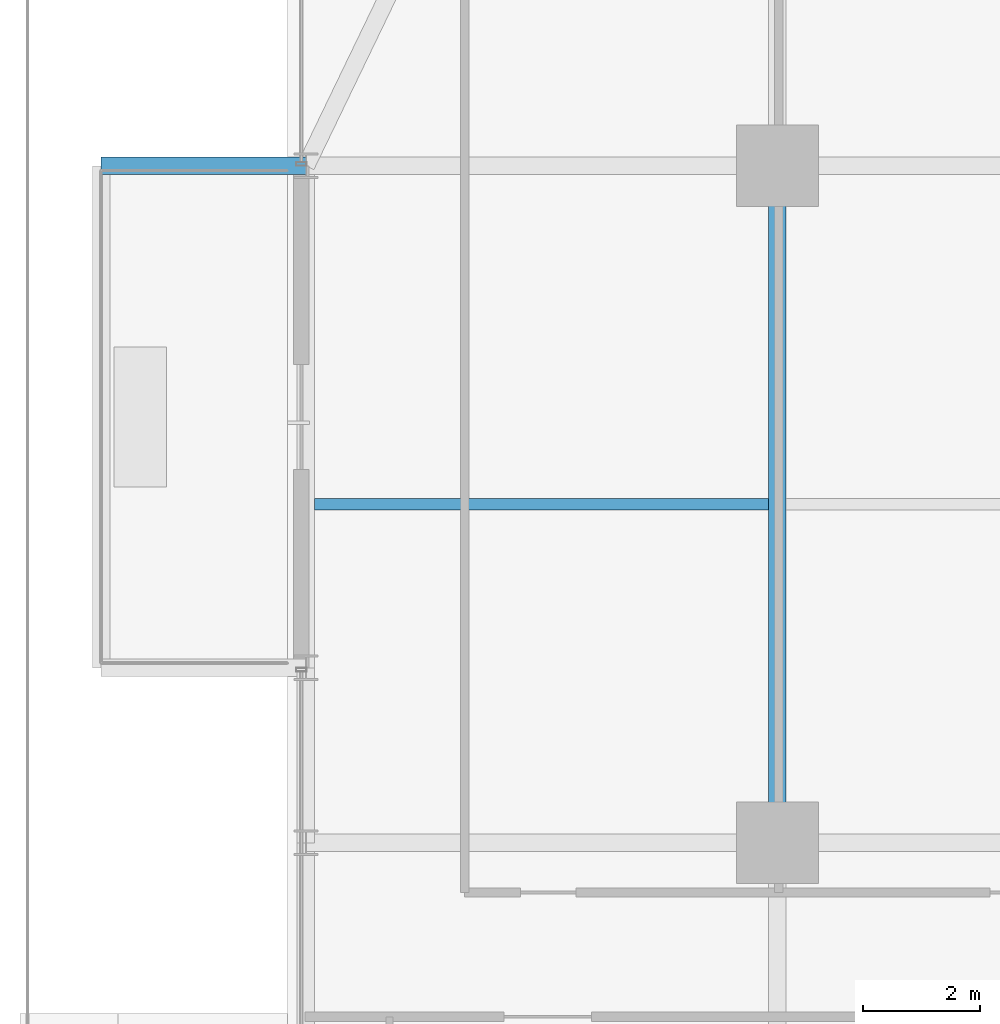
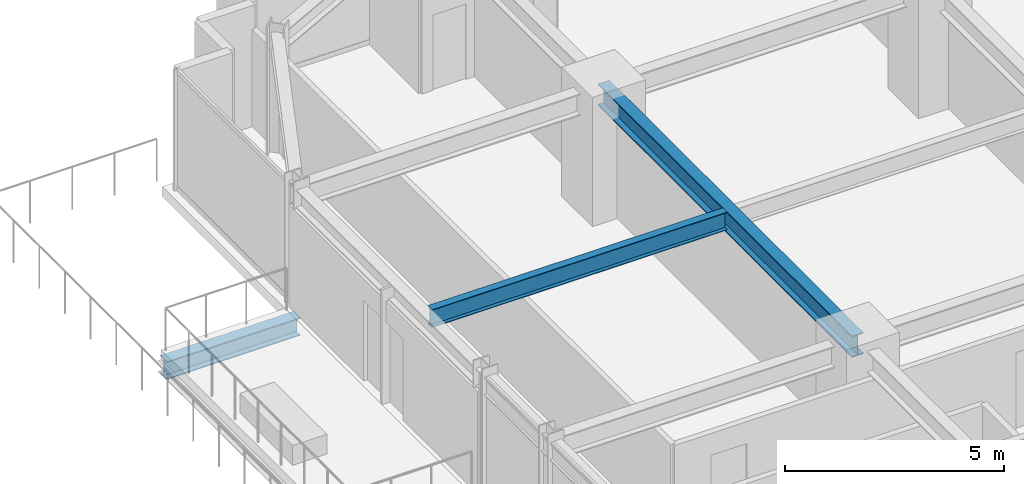
# One storey, part 19 of 39: 3 beams.
"""IFC4 building model written with IfcOpenShell, lengths in metres."""

from ifc_helpers import new_model, si_unit, direction, frame, origin, origin_2d, place, context, subcontext, project, spatial, i_section, extrude, source, transform, mapped, material, material_profile, profile_set, type_object, element, save


model = new_model("IFC4")

# Units and contexts
model_context = context("Model", 3, precision=1e-05, world=origin(), true_north=direction((0.0, 1.0)))
body_context = subcontext(model_context, "Body", "Model", "MODEL_VIEW")
ifc_project = project(units=[si_unit("LENGTHUNIT", "METRE"), si_unit("AREAUNIT", "SQUARE_METRE"), si_unit("VOLUMEUNIT", "CUBIC_METRE"), si_unit("PLANEANGLEUNIT", "RADIAN"), si_unit("MASSUNIT", "GRAM", prefix="KILO")], contexts=[model_context])

# Site, building, storey
site_placement = place(None, origin())
site = spatial("IfcSite", under=ifc_project, at=site_placement, CompositionType="ELEMENT")
building_placement = place(site_placement, origin())
building = spatial("IfcBuilding", under=site, at=building_placement, Name="Nahalor Promenade Grand Hotel", CompositionType="ELEMENT")
storey_placement = place(building_placement, frame((0.0, 0.0, 32.39990234375)))
storey = spatial("IfcBuildingStorey", under=building, at=storey_placement, Name="L06", CompositionType="ELEMENT", Elevation=32.39990234375)

# Beams
ifc_material = material(Name="Steel S355JR", Category="steel")
ifc_material_profile_1 = material_profile(ifc_material, i_section(OverallWidth=0.3, OverallDepth=0.5, WebThickness=0.0145, FlangeThickness=0.028, at=origin_2d()), Name="HEB 500")
ifc_profile_set_1 = profile_set([ifc_material_profile_1], Name="Steel S355JR")
beam_type_1 = type_object("IfcBeamType", Name="Beam-Outrigger-HEB500", PredefinedType="BEAM", material=ifc_profile_set_1)
shared_shape_1 = source(origin(), body_context, "Body", "SweptSolid", [
    extrude(i_section(OverallWidth=0.3, OverallDepth=0.5, WebThickness=0.0145, FlangeThickness=0.028, at=origin_2d()), origin(), (0.0, 0.0, 1.0), 3.510009765625),
])
beam_1_placement = place(storey_placement, frame((-28.590087890625, 17.0, -0.52978515625), z_axis=(1.0, 0.0, 0.0), x_axis=(0.0, 1.0, 0.0)))
element("IfcBeam", 1, at=beam_1_placement, inside=storey, type_object=beam_type_1, Name="BM-L06-BC-02-2", PredefinedType="BEAM", context=body_context, shape_type="MappedRepresentation", body=[
    mapped(shared_shape_1, transform((0.0, 0.0, 0.0), scale=1.0)),
])
ifc_material_profile_2 = material_profile(ifc_material, i_section(OverallWidth=0.3, OverallDepth=0.6, WebThickness=0.0155, FlangeThickness=0.03, at=origin_2d()), Name="HEB 600")
ifc_profile_set_2 = profile_set([ifc_material_profile_2], Name="Steel S355JR")
beam_type_2 = type_object("IfcBeamType", Name="Beam-Girder-HEB600", PredefinedType="BEAM", material=ifc_profile_set_2)
shared_shape_2 = source(origin(), body_context, "Body", "SweptSolid", [
    extrude(i_section(OverallWidth=0.3, OverallDepth=0.6, WebThickness=0.0155, FlangeThickness=0.03, at=origin_2d()), origin(), (0.0, 0.0, 1.0), 11.60009765625),
])
beam_2_placement = place(storey_placement, frame((-17.0, 5.39990234375, 3.070068359375), z_axis=(0.0, 1.0, 0.0), x_axis=(-1.0, 0.0, 0.0)))
element("IfcBeam", 2, at=beam_2_placement, inside=storey, type_object=beam_type_2, Name="BM-L06-GY-0-3", PredefinedType="BEAM", context=body_context, shape_type="MappedRepresentation", body=[
    mapped(shared_shape_2, transform((0.0, 0.0, 0.0), scale=1.0)),
])
ifc_material_profile_3 = material_profile(ifc_material, i_section(OverallWidth=0.2, OverallDepth=0.5, WebThickness=0.0102, FlangeThickness=0.016, at=origin_2d()), Name="IPE 500")
ifc_profile_set_3 = profile_set([ifc_material_profile_3], Name="Steel S355JR")
beam_type_3 = type_object("IfcBeamType", Name="Beam-Joist-IPE500", PredefinedType="JOIST", material=ifc_profile_set_3)
shared_shape_3 = source(origin(), body_context, "Body", "SweptSolid", [
    extrude(i_section(OverallWidth=0.2, OverallDepth=0.5, WebThickness=0.0102, FlangeThickness=0.016, at=origin_2d()), origin(), (0.0, 0.0, 1.0), 7.780029296875),
])
beam_3_placement = place(storey_placement, frame((-24.929931640625, 11.199951171875, 3.1201171875), z_axis=(1.0, 0.0, 0.0), x_axis=(0.0, 1.0, 0.0)))
element("IfcBeam", 3, at=beam_3_placement, inside=storey, type_object=beam_type_3, Name="BM-L06-JSW-1-0", PredefinedType="JOIST", context=body_context, shape_type="MappedRepresentation", body=[
    mapped(shared_shape_3, transform((0.0, 0.0, 0.0), scale=1.0)),
])

save(model, "model.ifc")
